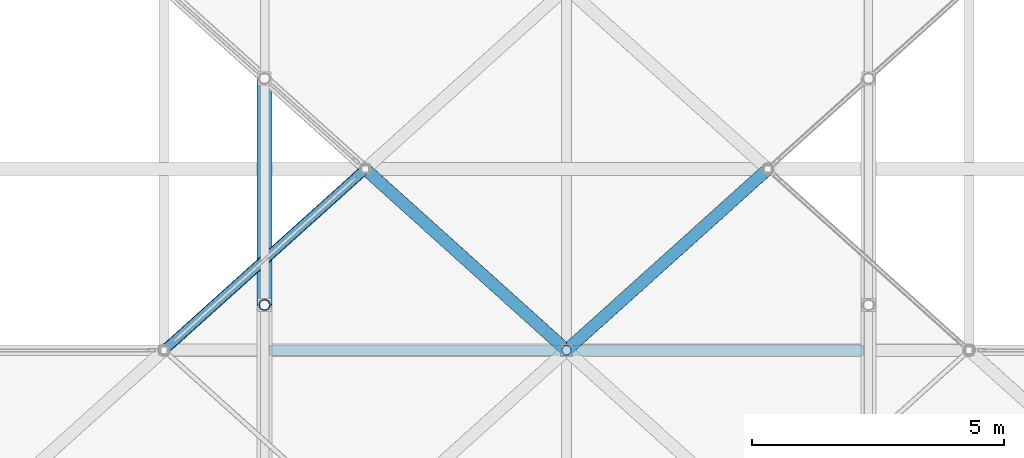
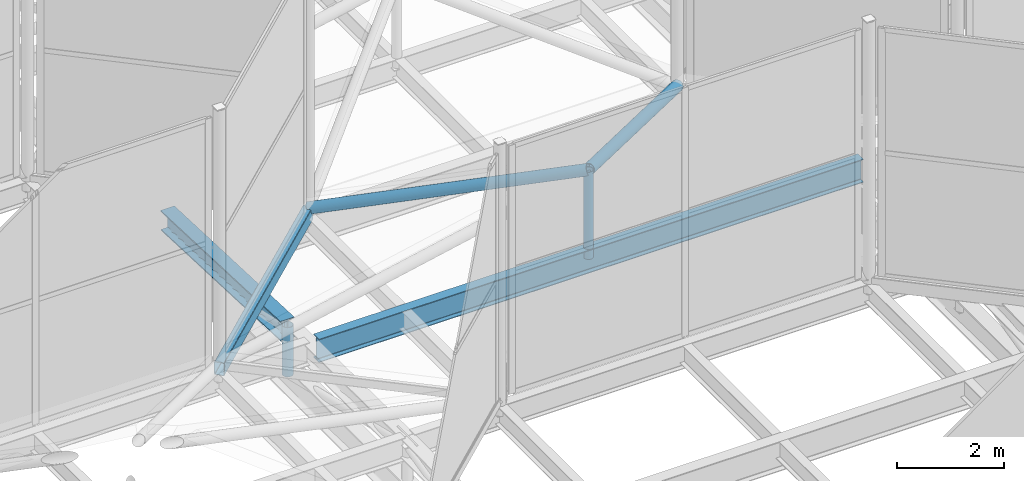
# One storey, part 103 of 239: 4 members, 3 beams.
"""IFC4 building model written with IfcOpenShell, lengths in metres."""

from ifc_helpers import new_model, si_unit, direction, frame, origin, origin_2d, place, context, subcontext, project, spatial, hollow_rectangle, hollow_circle, i_section, extrude, material, material_profile, profile_set, type_object, element, save


model = new_model("IFC4")

# Units and contexts
model_context = context("Model", 3, precision=1e-05, world=origin(), true_north=direction((0.0, 1.0)))
body_context = subcontext(model_context, "Body", "Model", "MODEL_VIEW")
ifc_project = project(units=[si_unit("LENGTHUNIT", "METRE"), si_unit("AREAUNIT", "SQUARE_METRE"), si_unit("VOLUMEUNIT", "CUBIC_METRE"), si_unit("PLANEANGLEUNIT", "RADIAN"), si_unit("MASSUNIT", "GRAM", prefix="KILO")], contexts=[model_context])

# Site, building, storey
site_placement = place(None, origin())
site = spatial("IfcSite", under=ifc_project, at=site_placement, CompositionType="ELEMENT")
building_placement = place(site_placement, origin())
building = spatial("IfcBuilding", under=site, at=building_placement, Name="Dunvalen Ferry Terminal", CompositionType="ELEMENT")
storey_placement = place(building_placement, frame((0.0, 0.0, 9.840087890625)))
storey = spatial("IfcBuildingStorey", under=building, at=storey_placement, Name="L02", CompositionType="ELEMENT", Elevation=9.840087890625)

# Beams
ifc_material = material(Name="Steel S355", Category="steel")
ifc_material_profile_1 = material_profile(ifc_material, i_section(OverallWidth=0.300048828125, OverallDepth=0.449951171875, WebThickness=0.013916015625, FlangeThickness=0.02587890625, FilletRadius=0.027099609375, at=origin_2d()), Name="Steel S355")
ifc_profile_set_1 = profile_set([ifc_material_profile_1], Name="Steel S355")
beam_type_1 = type_object("IfcBeamType", Name="STR-BM-HEB450", PredefinedType="BEAM", material=ifc_profile_set_1)
beam_1_placement = place(storey_placement, frame((48.0, 72.89990234375, 0.65869140625), z_axis=(0.0, 0.999166564808, -0.040818816368), x_axis=(-1.0, 0.0, 0.0)))
element("IfcBeam", 1, at=beam_1_placement, inside=storey, type_object=beam_type_1, Name="Departure Hall Tied-Arch Rib 04.6", PredefinedType="BEAM", context=body_context, shape_type="SweptSolid", body=[
    extrude(i_section(OverallWidth=0.300048828125, OverallDepth=0.449951171875, WebThickness=0.013916015625, FlangeThickness=0.02587890625, FilletRadius=0.027099609375, at=origin_2d()), origin(), (0.0, 0.0, 1.0), 4.503662109375),
])
ifc_material_profile_2 = material_profile(ifc_material, hollow_rectangle(XDim=0.199951171875, YDim=0.300048828125, WallThickness=0.010009765625, InnerFilletRadius=0.010009765625, OuterFilletRadius=0.02001953125, at=origin_2d()), Name="Steel S355")
ifc_profile_set_2 = profile_set([ifc_material_profile_2], Name="Steel S355")
beam_type_2 = type_object("IfcBeamType", Name="STR-BM-RHS300", PredefinedType="BEAM", material=ifc_profile_set_2)
beam_2_placement = place(storey_placement, frame((46.0, 72.0, 1.0), z_axis=(0.743285123004, 0.668974757313, 0.0), x_axis=(-0.668974757313, 0.743285123004, 0.0)))
element("IfcBeam", 2, at=beam_2_placement, inside=storey, type_object=beam_type_2, Name="HEX-21 Lantern Curb Ring Beam 3", PredefinedType="BEAM", context=body_context, shape_type="SweptSolid", body=[
    extrude(hollow_rectangle(XDim=0.199951171875, YDim=0.300048828125, WallThickness=0.010009765625, InnerFilletRadius=0.010009765625, OuterFilletRadius=0.02001953125, at=origin_2d()), origin(), (0.0, 0.0, 1.0), 5.381591796875),
])
ifc_material_profile_3 = material_profile(ifc_material, i_section(OverallWidth=0.209228515625, OverallDepth=0.533203125, WebThickness=0.010009765625, FlangeThickness=0.015625, FilletRadius=0.0126953125, at=origin_2d()), Name="Steel S355")
ifc_profile_set_3 = profile_set([ifc_material_profile_3], Name="Steel S355")
beam_type_3 = type_object("IfcBeamType", Name="STR-BM-UKB533", PredefinedType="BEAM", material=ifc_profile_set_3)
beam_3_placement = place(storey_placement, frame((48.10009765625, 72.0, 0.7333984375), z_axis=(1.0, 0.0, 0.0), x_axis=(0.0, 1.0, 0.0)))
element("IfcBeam", 3, at=beam_3_placement, inside=storey, type_object=beam_type_3, Name="Departure Hall Spine Girder B4.07", PredefinedType="BEAM", context=body_context, shape_type="SweptSolid", body=[
    extrude(i_section(OverallWidth=0.209228515625, OverallDepth=0.533203125, WebThickness=0.010009765625, FlangeThickness=0.015625, FilletRadius=0.0126953125, at=origin_2d()), origin(), (0.0, 0.0, 1.0), 11.7998046875),
])

# Members
ifc_material_profile_4 = material_profile(ifc_material, hollow_circle(Radius=0.096923828125, WallThickness=0.008056640625, at=origin_2d()), Name="Steel S355")
ifc_profile_set_4 = profile_set([ifc_material_profile_4], Name="Steel S355")
member_type_1 = type_object("IfcMemberType", Name="STR-MB-CHS193", PredefinedType="STRUT", material=ifc_profile_set_4)
member_1_placement = place(storey_placement, frame((54.0, 72.0, 0.77001953125), z_axis=(0.0, 0.0, 1.0), x_axis=(1.0, 0.0, 0.0)))
element("IfcMember", 4, at=member_1_placement, inside=storey, type_object=member_type_1, Name="HEX-26 Pyramid Apex Strut", PredefinedType="STRUT", context=body_context, shape_type="SweptSolid", body=[
    extrude(hollow_circle(Radius=0.096923828125, WallThickness=0.008056640625, at=origin_2d()), origin(), (0.0, 0.0, 1.0), 1.994873046875),
])
ifc_material_profile_5 = material_profile(ifc_material, hollow_circle(Radius=0.109619140625, WallThickness=0.010009765625, at=origin_2d()), Name="Steel S355")
ifc_profile_set_5 = profile_set([ifc_material_profile_5], Name="Steel S355")
member_type_2 = type_object("IfcMemberType", Name="STR-MB-CHS219", PredefinedType="STRUT", material=ifc_profile_set_5)
member_2_placement = place(storey_placement, frame((48.0, 72.89990234375, -0.360107421875), z_axis=(0.0, 0.0, 1.0), x_axis=(1.0, 0.0, 0.0)))
element("IfcMember", 5, at=member_2_placement, inside=storey, type_object=member_type_2, Name="Departure Hall Arch Spandrel Strut 04.5", PredefinedType="STRUT", context=body_context, shape_type="SweptSolid", body=[
    extrude(hollow_circle(Radius=0.109619140625, WallThickness=0.010009765625, at=origin_2d()), origin(), (0.0, 0.0, 1.0), 1.130126953125),
])
ifc_material_profile_6 = material_profile(ifc_material, hollow_circle(Radius=0.122314453125, WallThickness=0.010009765625, at=origin_2d()), Name="Steel S355")
ifc_profile_set_6 = profile_set([ifc_material_profile_6], Name="Steel S355")
member_type_3 = type_object("IfcMemberType", Name="STR-MB-CHS244", PredefinedType="STRUT", material=ifc_profile_set_6)
for number, where, z_axis, x_axis, name in (
    (6, (58.0, 75.60009765625, 1.099853515625), (-0.710074680578, -0.639084548328, 0.295575520114), (0.668974757313, -0.743285123004, 0.0), "HEX-26 Pyramid Hip Rafter 5"),
    (7, (50.0, 75.60009765625, 1.099853515625), (0.710074680578, -0.639084548328, 0.295575520114), (0.668974757313, 0.743285123004, 0.0), "HEX-26 Pyramid Hip Rafter 6"),
):
    element("IfcMember", number, at=place(storey_placement, frame(where, z_axis=z_axis, x_axis=x_axis)), inside=storey, type_object=member_type_3, Name=name, PredefinedType="STRUT", context=body_context, shape_type="SweptSolid", body=[
        extrude(hollow_circle(Radius=0.122314453125, WallThickness=0.010009765625, at=origin_2d()), origin(), (0.0, 0.0, 1.0), 5.63330078125),
    ])

save(model, "model.ifc")
